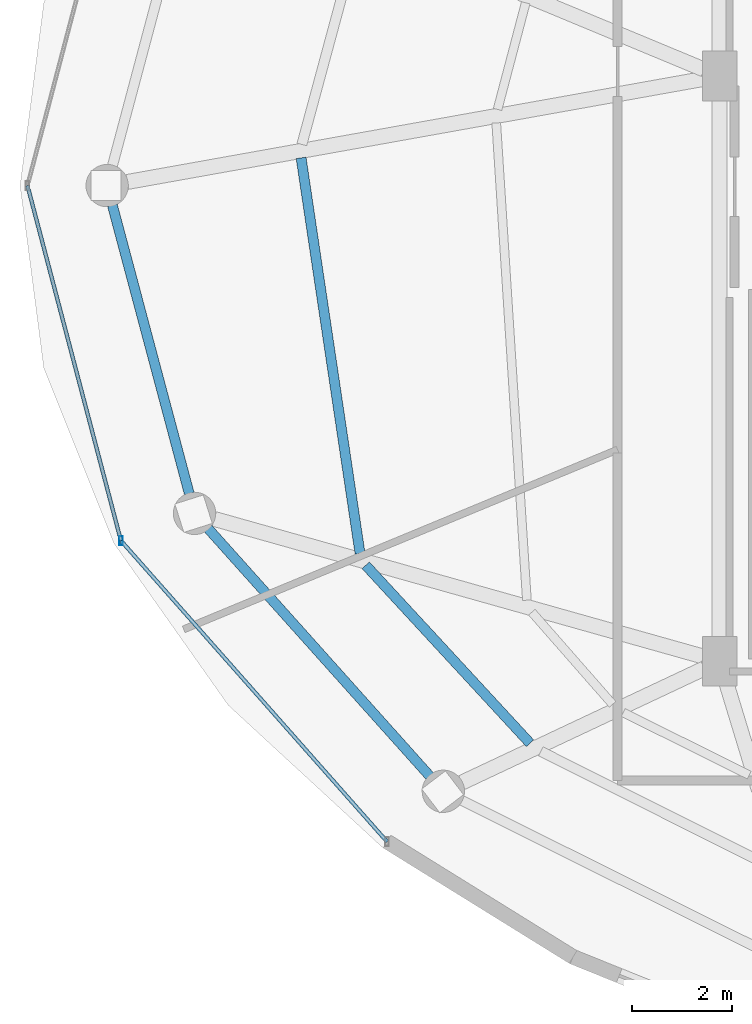
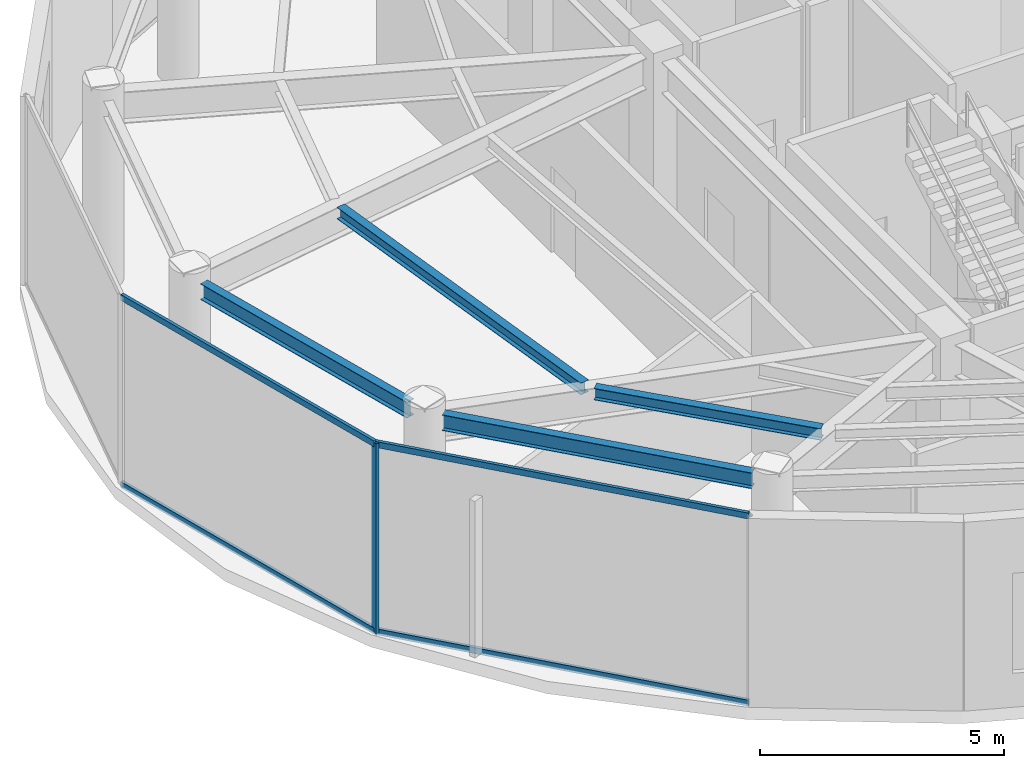
# One storey, part 3 of 24: 5 members, 4 beams, 1 element without a shape of its own.
"""IFC4 building model written with IfcOpenShell, lengths in metres."""

import ifcopenshell
import ifcopenshell.guid

model = None  # the IFC model being written
_history = None  # IfcOwnerHistory: only IFC2X3 demands one
_inside = {}  # id of a spatial element -> (the spatial element, [elements in it])
_under = {}  # id of a project, library or spatial element -> (it, [spatial elements below it])
_declared = {}  # id of a project -> (the project, [libraries it declares])
_typed = {}  # id of a type object -> (the type object, [elements of that type])
_made_of = {}  # id of a material, layer set ... -> (it, [elements and type objects made of it])


def new_model(schema):
    """Start an empty IFC model of exactly this schema.

    Asked for "IFC4X3", IfcOpenShell would pick the latest addendum, in which some entities
    have other attributes; the version numbers below select the first issue.
    IFC2X3 requires an IfcOwnerHistory on every rooted entity: one is made here for all.
    """
    global model, _history
    if schema == "IFC4X3":
        model = ifcopenshell.file(schema_version=(4, 3, 0, 0))
    else:
        model = ifcopenshell.file(schema=schema)
    _inside.clear()
    _under.clear()
    _declared.clear()
    _typed.clear()
    _made_of.clear()
    _history = None
    if model.schema == "IFC2X3":
        org = make("IfcOrganization", Name="unknown")
        user = make(
            "IfcPersonAndOrganization",
            ThePerson=make("IfcPerson", FamilyName="unknown"),
            TheOrganization=org,
        )
        app = make(
            "IfcApplication",
            ApplicationDeveloper=org,
            Version="unknown",
            ApplicationFullName="unknown",
            ApplicationIdentifier="unknown",
        )
        _history = make(
            "IfcOwnerHistory",
            OwningUser=user,
            OwningApplication=app,
            ChangeAction="ADDED",
            CreationDate=0,
        )
    return model


def make(cls, **values):
    """One entity of the class cls with the attributes given. An attribute that is None is left unset."""
    return model.create_entity(
        cls, **{name: value for name, value in values.items() if value is not None}
    )


def rooted(cls, **values):
    """An entity with a GlobalId (a new one), such as an element, a storey or a relation."""
    return make(cls, GlobalId=ifcopenshell.guid.new(), OwnerHistory=_history, **values)


def si_unit(unit_type, name, prefix=None):
    """IfcSIUnit, for example si_unit("LENGTHUNIT", "METRE", prefix="MILLI")."""
    return make("IfcSIUnit", UnitType=unit_type, Prefix=prefix, Name=name)


def assignment(units):
    """IfcUnitAssignment: the units of a project."""
    return None if units is None else make("IfcUnitAssignment", Units=units)


def point(xyz):
    """IfcCartesianPoint."""
    return None if xyz is None else make("IfcCartesianPoint", Coordinates=xyz)


def direction(xyz):
    """IfcDirection."""
    return None if xyz is None else make("IfcDirection", DirectionRatios=xyz)


def frame(location, z_axis=None, x_axis=None):
    """IfcAxis2Placement3D, a coordinate frame: its origin and axes. An axis left out is left unset."""
    return make(
        "IfcAxis2Placement3D",
        Location=point(location),
        Axis=direction(z_axis),
        RefDirection=direction(x_axis),
    )


def frame_2d(location, x_axis=None):
    """IfcAxis2Placement2D, a coordinate frame in the plane: its origin and x axis."""
    return make(
        "IfcAxis2Placement2D", Location=point(location), RefDirection=direction(x_axis)
    )


def origin():
    """The frame at (0, 0, 0) with its axes left unset."""
    return frame((0.0, 0.0, 0.0))


def origin_2d():
    """The frame at (0, 0) in the plane with its x axis left unset."""
    return frame_2d((0.0, 0.0))


def place(relative_to, where):
    """IfcLocalPlacement: puts the frame where relative to a parent placement (None: the world)."""
    return make(
        "IfcLocalPlacement", PlacementRelTo=relative_to, RelativePlacement=where
    )


def context(
    kind, dimensions, precision=None, world=None, true_north=None, identifier=None
):
    """IfcGeometricRepresentationContext, for example the 3D "Model" context."""
    return make(
        "IfcGeometricRepresentationContext",
        ContextIdentifier=identifier,
        ContextType=kind,
        CoordinateSpaceDimension=dimensions,
        Precision=precision,
        WorldCoordinateSystem=world,
        TrueNorth=true_north,
    )


def subcontext(parent, identifier, kind, view, scale=None):
    """IfcGeometricRepresentationSubContext, for example "Body" below "Model"."""
    return make(
        "IfcGeometricRepresentationSubContext",
        ContextIdentifier=identifier,
        ContextType=kind,
        ParentContext=parent,
        TargetScale=scale,
        TargetView=view,
    )


def project(units=None, contexts=None):
    """IfcProject with its units and contexts."""
    return rooted(
        "IfcProject",
        Name="project",
        RepresentationContexts=contexts,
        UnitsInContext=assignment(units),
    )


def spatial(cls, under=None, at=None, **own):
    """A site, building, storey or space (cls), placed at a placement, below another one or the project."""
    s = rooted(cls, ObjectPlacement=at, **own)
    if under is not None:
        _under.setdefault(under.id(), (under, []))[1].append(s)
    return s


def profile(cls, at=None, kind="AREA", **sizes):
    """A parametric profile (cls). Its sizes go by their IFC names, for example OverallWidth=200.0."""
    return make(cls, ProfileType=kind, Position=at, **sizes)


def hollow_rectangle(**sizes):
    """IfcRectangleHollowProfileDef."""
    return profile("IfcRectangleHollowProfileDef", **sizes)


def i_section(**sizes):
    """IfcIShapeProfileDef."""
    return profile("IfcIShapeProfileDef", **sizes)


def extrude(swept, where, along, depth):
    """IfcExtrudedAreaSolid: the profile swept, set in the frame where, extruded along a direction by depth."""
    return make(
        "IfcExtrudedAreaSolid",
        SweptArea=swept,
        Position=where,
        ExtrudedDirection=direction(along),
        Depth=depth,
    )


def shape(context_of_items, identifier, shape_type, items):
    """IfcShapeRepresentation: the items that make up one representation, for example the "Body"."""
    return make(
        "IfcShapeRepresentation",
        ContextOfItems=context_of_items,
        RepresentationIdentifier=identifier,
        RepresentationType=shape_type,
        Items=items,
    )


def material(Name=None, Category=None):
    """IfcMaterial."""
    return make("IfcMaterial", Name=Name, Category=Category)


def material_profile(
    of_material, cross_section, Name=None, Category=None, Priority=None
):
    """IfcMaterialProfile: a cross section and its material."""
    return make(
        "IfcMaterialProfile",
        Name=Name,
        Material=of_material,
        Profile=cross_section,
        Priority=Priority,
        Category=Category,
    )


def profile_set(profiles, Name=None, composite=None):
    """IfcMaterialProfileSet."""
    return make(
        "IfcMaterialProfileSet",
        Name=Name,
        MaterialProfiles=profiles,
        CompositeProfile=composite,
    )


def made_of(thing, what):
    """Note that an element or type object is made of a material, layer set ...; save() writes the relation."""
    if what is not None:
        _made_of.setdefault(what.id(), (what, []))[1].append(thing)
    return thing


def type_object(cls, material=None, **own):
    """A type object (cls), such as IfcWallType, which elements share."""
    return made_of(rooted(cls, **own), material)


def element(
    cls,
    number,
    at=None,
    inside=None,
    cuts=None,
    type_object=None,
    material=None,
    context=None,
    identifier="Body",
    shape_type=None,
    held_by="IfcProductDefinitionShape",
    body=None,
    shapes=None,
    **own,
):
    """One element of the class cls, such as IfcWall. Its Tag is "e" and its number.

    at: its placement. inside: the storey or other place that contains it. cuts: it is an
    opening in that element (IfcRelVoidsElement). A single representation is given by context,
    identifier, shape_type and body (its items); several are given by shapes. held_by: the class
    of the entity that holds the representations. save() writes the other relations.
    """
    e = rooted(cls, Tag="e%d" % number, ObjectPlacement=at, **own)
    if body is not None:
        shapes = [shape(context, identifier, shape_type, body)]
    if shapes is not None:
        e.Representation = make(held_by, Representations=shapes)
    if inside is not None:
        _inside.setdefault(inside.id(), (inside, []))[1].append(e)
    if cuts is not None:
        rooted(
            "IfcRelVoidsElement", RelatingBuildingElement=cuts, RelatedOpeningElement=e
        )
    if type_object is not None:
        _typed.setdefault(type_object.id(), (type_object, []))[1].append(e)
    return made_of(e, material)


def aggregate(whole, parts):
    """IfcRelAggregates: a whole, such as a stair, and the parts it consists of."""
    return rooted("IfcRelAggregates", RelatingObject=whole, RelatedObjects=parts)


def save(model, path):
    """Write the relations noted so far, then the file.

    IfcRelAggregates (storeys below a building ...), IfcRelContainedInSpatialStructure (elements
    in a storey), IfcRelDefinesByType, IfcRelAssociatesMaterial and IfcRelDeclares: one each for
    every whole, place, type object, material and project.
    """
    for whole, parts in _under.values():
        aggregate(whole, parts)
    for where, things in _inside.values():
        rooted(
            "IfcRelContainedInSpatialStructure",
            RelatedElements=things,
            RelatingStructure=where,
        )
    for kind, things in _typed.values():
        rooted("IfcRelDefinesByType", RelatedObjects=things, RelatingType=kind)
    for what, things in _made_of.values():
        rooted("IfcRelAssociatesMaterial", RelatedObjects=things, RelatingMaterial=what)
    for by, libraries in _declared.values():
        rooted("IfcRelDeclares", RelatingContext=by, RelatedDefinitions=libraries)
    model.write(path)


model = new_model("IFC4")

# Units and contexts
model_context = context("Model", 3, precision=1e-05, world=origin(), true_north=direction((0.0, 1.0)))
body_context = subcontext(model_context, "Body", "Model", "MODEL_VIEW")
ifc_project = project(units=[si_unit("LENGTHUNIT", "METRE"), si_unit("AREAUNIT", "SQUARE_METRE"), si_unit("VOLUMEUNIT", "CUBIC_METRE"), si_unit("PLANEANGLEUNIT", "RADIAN"), si_unit("MASSUNIT", "GRAM", prefix="KILO")], contexts=[model_context])

# Site, building, storey
site_placement = place(None, origin())
site = spatial("IfcSite", under=ifc_project, at=site_placement, CompositionType="ELEMENT")
building_placement = place(site_placement, origin())
building = spatial("IfcBuilding", under=site, at=building_placement, Name="Vorneva Point Tower", CompositionType="ELEMENT")
storey_placement = place(building_placement, frame((0.0, 0.0, 290.39990234375)))
storey = spatial("IfcBuildingStorey", under=building, at=storey_placement, Name="L78", CompositionType="ELEMENT", Elevation=290.39990234375)

# Beams
ifc_material_1 = material(Name="Steel S355", Category="steel")
ifc_material_profile_1 = material_profile(ifc_material_1, i_section(OverallWidth=0.199951171875, OverallDepth=0.291015625, WebThickness=0.008056640625, FlangeThickness=0.010986328125, at=origin_2d()), Name="30Sh1")
ifc_profile_set_1 = profile_set([ifc_material_profile_1], Name="Steel S355")
beam_type_1 = type_object("IfcBeamType", Name="BM-SEC-30Sh1", PredefinedType="BEAM", material=ifc_profile_set_1)
beam_1_placement = place(storey_placement, frame((18.844482421875, 26.556396484375, 4.57470703125), z_axis=(0.147381541566, -0.989079714283, 0.0), x_axis=(0.989079714283, 0.147381541566, 0.0)))
element("IfcBeam", 1, at=beam_1_placement, inside=storey, type_object=beam_type_1, Name="L78 Secondary Floor Beam 1.09", PredefinedType="BEAM", context=body_context, shape_type="SweptSolid", body=[
    extrude(i_section(OverallWidth=0.199951171875, OverallDepth=0.291015625, WebThickness=0.008056640625, FlangeThickness=0.010986328125, at=origin_2d()), origin(), (0.0, 0.0, 1.0), 8.03076171875),
])
beam_2_placement = place(storey_placement, frame((20.14208984375, 18.37548828125, 4.57470703125), z_axis=(0.678409362497, -0.734684106863, 0.0), x_axis=(0.734684106863, 0.678409362497, 0.0)))
element("IfcBeam", 2, at=beam_2_placement, inside=storey, type_object=beam_type_1, Name="L78 Secondary Floor Beam 1.10", PredefinedType="BEAM", context=body_context, shape_type="SweptSolid", body=[
    extrude(i_section(OverallWidth=0.199951171875, OverallDepth=0.291015625, WebThickness=0.008056640625, FlangeThickness=0.010986328125, at=origin_2d()), origin(), (0.0, 0.0, 1.0), 4.86328125),
])
ifc_material_profile_2 = material_profile(ifc_material_1, i_section(OverallWidth=0.198974609375, OverallDepth=0.39599609375, WebThickness=0.007080078125, FlangeThickness=0.010986328125, at=origin_2d()), Name="40B1")
ifc_profile_set_2 = profile_set([ifc_material_profile_2], Name="Steel S355")
beam_type_2 = type_object("IfcBeamType", Name="BM-SPN-40B1", PredefinedType="SPANDREL", material=ifc_profile_set_2)
beam_3_placement = place(storey_placement, frame((15.0556640625, 25.603759765625, 4.522216796875), z_axis=(0.257586570866, -0.966255224312, 0.0), x_axis=(0.966255224312, 0.257586570866, 0.0)))
element("IfcBeam", 3, at=beam_3_placement, inside=storey, type_object=beam_type_2, Name="L78 Perimeter Spandrel Ring Beam 09", PredefinedType="SPANDREL", context=body_context, shape_type="SweptSolid", body=[
    extrude(i_section(OverallWidth=0.198974609375, OverallDepth=0.39599609375, WebThickness=0.007080078125, FlangeThickness=0.010986328125, at=origin_2d()), origin(), (0.0, 0.0, 1.0), 5.991943359375),
])
beam_4_placement = place(storey_placement, frame((16.97802734375, 19.1123046875, 4.522216796875), z_axis=(0.667108282638, -0.744960763554, 0.0), x_axis=(0.744960763554, 0.667108282638, 0.0)))
element("IfcBeam", 4, at=beam_4_placement, inside=storey, type_object=beam_type_2, Name="L78 Perimeter Spandrel Ring Beam 10", PredefinedType="SPANDREL", context=body_context, shape_type="SweptSolid", body=[
    extrude(i_section(OverallWidth=0.198974609375, OverallDepth=0.39599609375, WebThickness=0.007080078125, FlangeThickness=0.010986328125, at=origin_2d()), origin(), (0.0, 0.0, 1.0), 6.670166015625),
])

# Curtain wall, members
ifc_material_2 = material(Name="Pale anodised aluminium", Category="aluminium")
curtain_wall_type = type_object("IfcCurtainWallType", Name="CW-OBS-SYS", PredefinedType="NOTDEFINED", material=ifc_material_2)
curtain_wall_placement = place(storey_placement, origin())
curtain_wall = element("IfcCurtainWall", 5, at=curtain_wall_placement, inside=storey, type_object=curtain_wall_type, Name="L78 Unitised Curtain Wall CW-L78-R03", PredefinedType="NOTDEFINED")
ifc_material_profile_3 = material_profile(ifc_material_2, hollow_rectangle(XDim=0.074951171875, YDim=0.179931640625, WallThickness=0.00390625, at=origin_2d()), Name="AL-MUL 180x75x4")
ifc_profile_set_3 = profile_set([ifc_material_profile_3], Name="Pale anodised aluminium")
member_type_1 = type_object("IfcMemberType", Name="CW-MUL-180", PredefinedType="MULLION", material=ifc_profile_set_3)
member_1_placement = place(storey_placement, frame((15.226318359375, 18.87060546875, -0.039794921875), z_axis=(0.0, 0.0, 1.0), x_axis=(1.0, 0.0, 0.0)))
member_1 = element("IfcMember", 6, at=member_1_placement, type_object=member_type_1, Name="CW-L78-R03 Mullion 03", PredefinedType="MULLION", context=body_context, shape_type="SweptSolid", body=[
    extrude(hollow_rectangle(XDim=0.074951171875, YDim=0.179931640625, WallThickness=0.00390625, at=origin_2d()), origin(), (0.0, 0.0, 1.0), 4.789794921875),
])
ifc_material_profile_4 = material_profile(ifc_material_2, hollow_rectangle(XDim=0.074951171875, YDim=0.14990234375, WallThickness=0.00390625, at=origin_2d()), Name="AL-TRN 150x75x4")
ifc_profile_set_4 = profile_set([ifc_material_profile_4], Name="Pale anodised aluminium")
member_type_2 = type_object("IfcMemberType", Name="CW-TRN-150", PredefinedType="USERDEFINED", material=ifc_profile_set_4)
member_2_placement = place(storey_placement, frame((13.35009765625, 26.0, 0.02001953125), z_axis=(0.254501449741, -0.967072392368, 0.0), x_axis=(0.967072392368, 0.254501449741, 0.0)))
member_2 = element("IfcMember", 7, at=member_2_placement, type_object=member_type_2, Name="CW-L78-R03 Transom 02.1", ObjectType="TRANSOM", PredefinedType="USERDEFINED", context=body_context, shape_type="SweptSolid", body=[
    extrude(hollow_rectangle(XDim=0.074951171875, YDim=0.14990234375, WallThickness=0.00390625, at=origin_2d()), origin(), (0.0, 0.0, 1.0), 7.3720703125),
])
member_3_placement = place(storey_placement, frame((13.35009765625, 26.0, 4.7001953125), z_axis=(0.254501449741, -0.967072392368, 0.0), x_axis=(0.967072392368, 0.254501449741, 0.0)))
member_3 = element("IfcMember", 8, at=member_3_placement, type_object=member_type_2, Name="CW-L78-R03 Transom 02.2", ObjectType="TRANSOM", PredefinedType="USERDEFINED", context=body_context, shape_type="SweptSolid", body=[
    extrude(hollow_rectangle(XDim=0.074951171875, YDim=0.14990234375, WallThickness=0.00390625, at=origin_2d()), origin(), (0.0, 0.0, 1.0), 7.3720703125),
])
member_4_placement = place(storey_placement, frame((15.226318359375, 18.87060546875, 0.02001953125), z_axis=(0.66236098645, -0.749184839428, 0.0), x_axis=(0.749184839428, 0.66236098645, 0.0)))
member_4 = element("IfcMember", 9, at=member_4_placement, type_object=member_type_2, Name="CW-L78-R03 Transom 03.1", ObjectType="TRANSOM", PredefinedType="USERDEFINED", context=body_context, shape_type="SweptSolid", body=[
    extrude(hollow_rectangle(XDim=0.074951171875, YDim=0.14990234375, WallThickness=0.00390625, at=origin_2d()), origin(), (0.0, 0.0, 1.0), 8.0673828125),
])
member_5_placement = place(storey_placement, frame((15.226318359375, 18.87060546875, 4.7001953125), z_axis=(0.66236098645, -0.749184839428, 0.0), x_axis=(0.749184839428, 0.66236098645, 0.0)))
member_5 = element("IfcMember", 10, at=member_5_placement, type_object=member_type_2, Name="CW-L78-R03 Transom 03.2", ObjectType="TRANSOM", PredefinedType="USERDEFINED", context=body_context, shape_type="SweptSolid", body=[
    extrude(hollow_rectangle(XDim=0.074951171875, YDim=0.14990234375, WallThickness=0.00390625, at=origin_2d()), origin(), (0.0, 0.0, 1.0), 8.0673828125),
])
aggregate(curtain_wall, [member_1, member_2, member_3, member_4, member_5])

save(model, "model.ifc")
